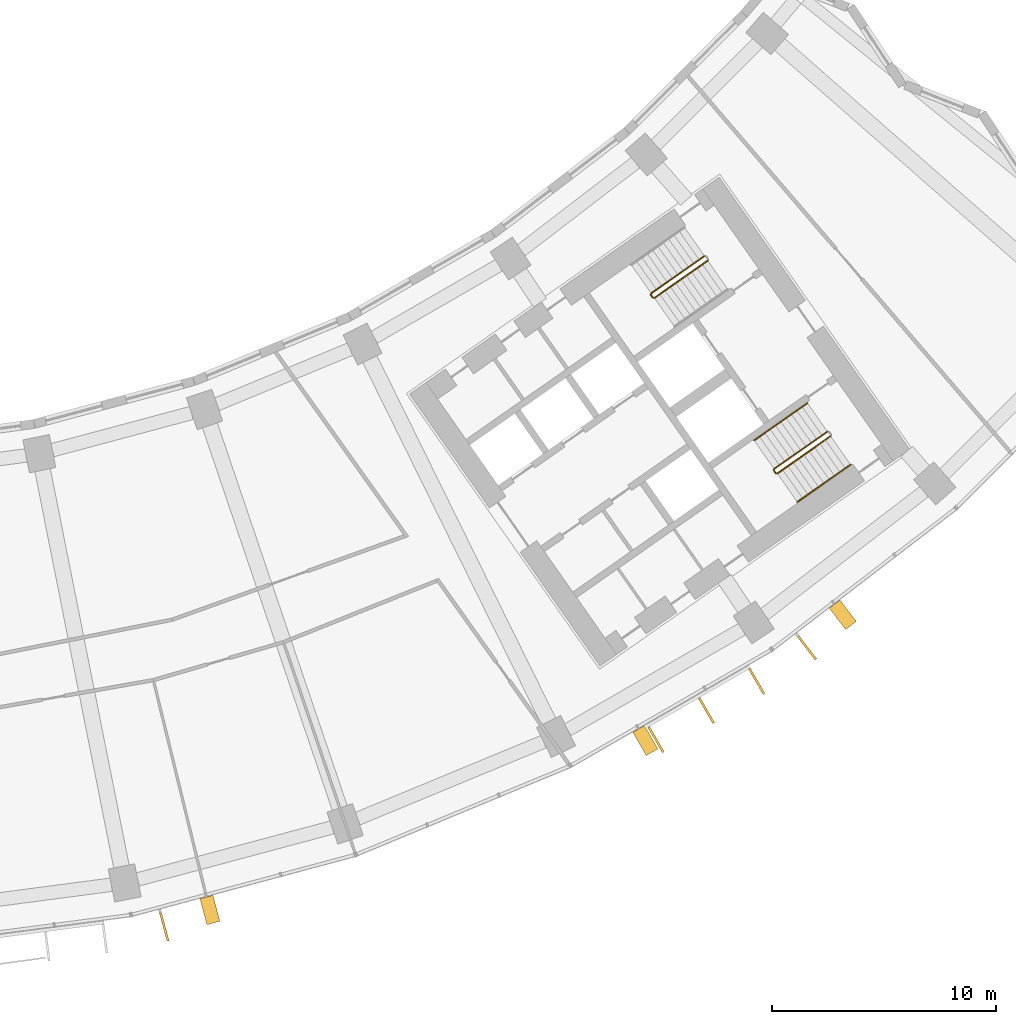
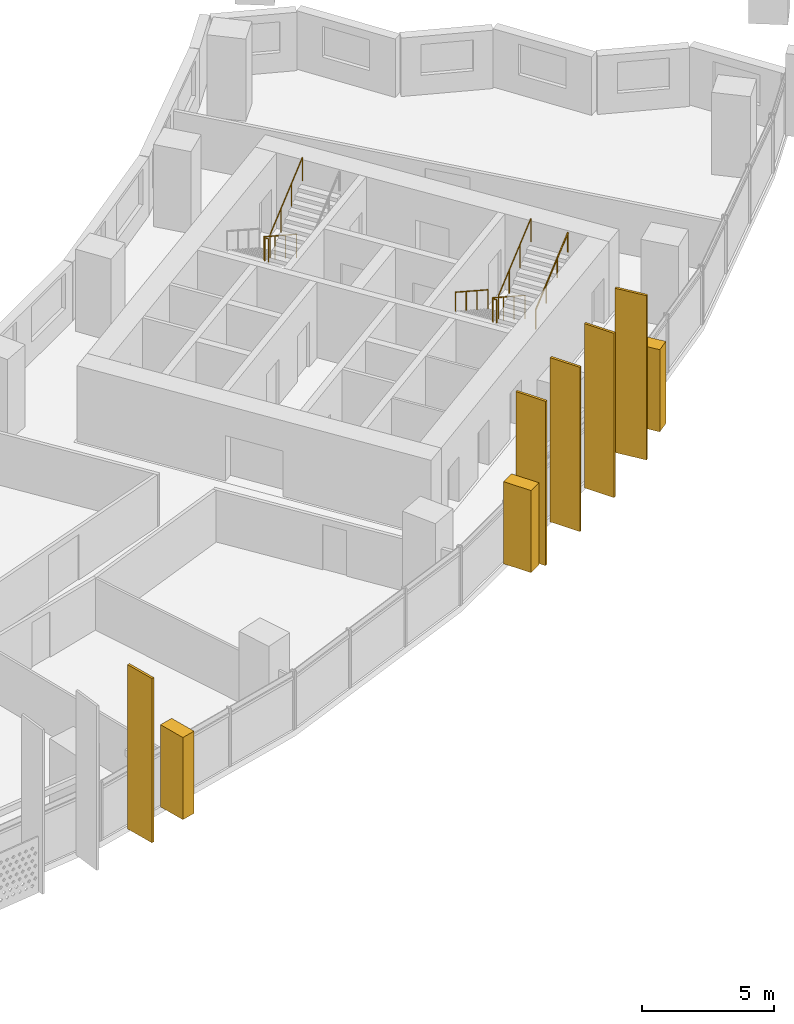
# One storey, part 29 of 30: 8 shading devices, 6 railings.
"""IFC4 building model written with IfcOpenShell, lengths in metres."""

import ifcopenshell
import ifcopenshell.guid

model = None  # the IFC model being written
_history = None  # IfcOwnerHistory: only IFC2X3 demands one
_inside = {}  # id of a spatial element -> (the spatial element, [elements in it])
_under = {}  # id of a project, library or spatial element -> (it, [spatial elements below it])
_declared = {}  # id of a project -> (the project, [libraries it declares])
_typed = {}  # id of a type object -> (the type object, [elements of that type])
_made_of = {}  # id of a material, layer set ... -> (it, [elements and type objects made of it])


def new_model(schema):
    """Start an empty IFC model of exactly this schema.

    Asked for "IFC4X3", IfcOpenShell would pick the latest addendum, in which some entities
    have other attributes; the version numbers below select the first issue.
    IFC2X3 requires an IfcOwnerHistory on every rooted entity: one is made here for all.
    """
    global model, _history
    if schema == "IFC4X3":
        model = ifcopenshell.file(schema_version=(4, 3, 0, 0))
    else:
        model = ifcopenshell.file(schema=schema)
    _inside.clear()
    _under.clear()
    _declared.clear()
    _typed.clear()
    _made_of.clear()
    _history = None
    if model.schema == "IFC2X3":
        org = make("IfcOrganization", Name="unknown")
        user = make(
            "IfcPersonAndOrganization",
            ThePerson=make("IfcPerson", FamilyName="unknown"),
            TheOrganization=org,
        )
        app = make(
            "IfcApplication",
            ApplicationDeveloper=org,
            Version="unknown",
            ApplicationFullName="unknown",
            ApplicationIdentifier="unknown",
        )
        _history = make(
            "IfcOwnerHistory",
            OwningUser=user,
            OwningApplication=app,
            ChangeAction="ADDED",
            CreationDate=0,
        )
    return model


def make(cls, **values):
    """One entity of the class cls with the attributes given. An attribute that is None is left unset."""
    return model.create_entity(
        cls, **{name: value for name, value in values.items() if value is not None}
    )


def rooted(cls, **values):
    """An entity with a GlobalId (a new one), such as an element, a storey or a relation."""
    return make(cls, GlobalId=ifcopenshell.guid.new(), OwnerHistory=_history, **values)


def si_unit(unit_type, name, prefix=None):
    """IfcSIUnit, for example si_unit("LENGTHUNIT", "METRE", prefix="MILLI")."""
    return make("IfcSIUnit", UnitType=unit_type, Prefix=prefix, Name=name)


def assignment(units):
    """IfcUnitAssignment: the units of a project."""
    return None if units is None else make("IfcUnitAssignment", Units=units)


def point(xyz):
    """IfcCartesianPoint."""
    return None if xyz is None else make("IfcCartesianPoint", Coordinates=xyz)


def direction(xyz):
    """IfcDirection."""
    return None if xyz is None else make("IfcDirection", DirectionRatios=xyz)


def frame(location, z_axis=None, x_axis=None):
    """IfcAxis2Placement3D, a coordinate frame: its origin and axes. An axis left out is left unset."""
    return make(
        "IfcAxis2Placement3D",
        Location=point(location),
        Axis=direction(z_axis),
        RefDirection=direction(x_axis),
    )


def frame_2d(location, x_axis=None):
    """IfcAxis2Placement2D, a coordinate frame in the plane: its origin and x axis."""
    return make(
        "IfcAxis2Placement2D", Location=point(location), RefDirection=direction(x_axis)
    )


def origin():
    """The frame at (0, 0, 0) with its axes left unset."""
    return frame((0.0, 0.0, 0.0))


def origin_2d():
    """The frame at (0, 0) in the plane with its x axis left unset."""
    return frame_2d((0.0, 0.0))


def place(relative_to, where):
    """IfcLocalPlacement: puts the frame where relative to a parent placement (None: the world)."""
    return make(
        "IfcLocalPlacement", PlacementRelTo=relative_to, RelativePlacement=where
    )


def context(
    kind, dimensions, precision=None, world=None, true_north=None, identifier=None
):
    """IfcGeometricRepresentationContext, for example the 3D "Model" context."""
    return make(
        "IfcGeometricRepresentationContext",
        ContextIdentifier=identifier,
        ContextType=kind,
        CoordinateSpaceDimension=dimensions,
        Precision=precision,
        WorldCoordinateSystem=world,
        TrueNorth=true_north,
    )


def subcontext(parent, identifier, kind, view, scale=None):
    """IfcGeometricRepresentationSubContext, for example "Body" below "Model"."""
    return make(
        "IfcGeometricRepresentationSubContext",
        ContextIdentifier=identifier,
        ContextType=kind,
        ParentContext=parent,
        TargetScale=scale,
        TargetView=view,
    )


def project(units=None, contexts=None):
    """IfcProject with its units and contexts."""
    return rooted(
        "IfcProject",
        Name="project",
        RepresentationContexts=contexts,
        UnitsInContext=assignment(units),
    )


def spatial(cls, under=None, at=None, **own):
    """A site, building, storey or space (cls), placed at a placement, below another one or the project."""
    s = rooted(cls, ObjectPlacement=at, **own)
    if under is not None:
        _under.setdefault(under.id(), (under, []))[1].append(s)
    return s


def polyline(points):
    """IfcPolyline through the points."""
    return make("IfcPolyline", Points=[point(p) for p in points])


def profile(cls, at=None, kind="AREA", **sizes):
    """A parametric profile (cls). Its sizes go by their IFC names, for example OverallWidth=200.0."""
    return make(cls, ProfileType=kind, Position=at, **sizes)


def rectangle(**sizes):
    """IfcRectangleProfileDef."""
    return profile("IfcRectangleProfileDef", **sizes)


def circle(**sizes):
    """IfcCircleProfileDef."""
    return profile("IfcCircleProfileDef", **sizes)


def outline(outer, holes=None, kind="AREA"):
    """IfcArbitraryClosedProfileDef: a profile drawn as a closed curve; with holes, ...WithVoids."""
    if holes is None:
        return make("IfcArbitraryClosedProfileDef", ProfileType=kind, OuterCurve=outer)
    return make(
        "IfcArbitraryProfileDefWithVoids",
        ProfileType=kind,
        OuterCurve=outer,
        InnerCurves=holes,
    )


def extrude(swept, where, along, depth):
    """IfcExtrudedAreaSolid: the profile swept, set in the frame where, extruded along a direction by depth."""
    return make(
        "IfcExtrudedAreaSolid",
        SweptArea=swept,
        Position=where,
        ExtrudedDirection=direction(along),
        Depth=depth,
    )


def shape(context_of_items, identifier, shape_type, items):
    """IfcShapeRepresentation: the items that make up one representation, for example the "Body"."""
    return make(
        "IfcShapeRepresentation",
        ContextOfItems=context_of_items,
        RepresentationIdentifier=identifier,
        RepresentationType=shape_type,
        Items=items,
    )


def material(Name=None, Category=None):
    """IfcMaterial."""
    return make("IfcMaterial", Name=Name, Category=Category)


def material_profile(
    of_material, cross_section, Name=None, Category=None, Priority=None
):
    """IfcMaterialProfile: a cross section and its material."""
    return make(
        "IfcMaterialProfile",
        Name=Name,
        Material=of_material,
        Profile=cross_section,
        Priority=Priority,
        Category=Category,
    )


def profile_set(profiles, Name=None, composite=None):
    """IfcMaterialProfileSet."""
    return make(
        "IfcMaterialProfileSet",
        Name=Name,
        MaterialProfiles=profiles,
        CompositeProfile=composite,
    )


def made_of(thing, what):
    """Note that an element or type object is made of a material, layer set ...; save() writes the relation."""
    if what is not None:
        _made_of.setdefault(what.id(), (what, []))[1].append(thing)
    return thing


def type_object(cls, material=None, **own):
    """A type object (cls), such as IfcWallType, which elements share."""
    return made_of(rooted(cls, **own), material)


def element(
    cls,
    number,
    at=None,
    inside=None,
    cuts=None,
    type_object=None,
    material=None,
    context=None,
    identifier="Body",
    shape_type=None,
    held_by="IfcProductDefinitionShape",
    body=None,
    shapes=None,
    **own,
):
    """One element of the class cls, such as IfcWall. Its Tag is "e" and its number.

    at: its placement. inside: the storey or other place that contains it. cuts: it is an
    opening in that element (IfcRelVoidsElement). A single representation is given by context,
    identifier, shape_type and body (its items); several are given by shapes. held_by: the class
    of the entity that holds the representations. save() writes the other relations.
    """
    e = rooted(cls, Tag="e%d" % number, ObjectPlacement=at, **own)
    if body is not None:
        shapes = [shape(context, identifier, shape_type, body)]
    if shapes is not None:
        e.Representation = make(held_by, Representations=shapes)
    if inside is not None:
        _inside.setdefault(inside.id(), (inside, []))[1].append(e)
    if cuts is not None:
        rooted(
            "IfcRelVoidsElement", RelatingBuildingElement=cuts, RelatedOpeningElement=e
        )
    if type_object is not None:
        _typed.setdefault(type_object.id(), (type_object, []))[1].append(e)
    return made_of(e, material)


def aggregate(whole, parts):
    """IfcRelAggregates: a whole, such as a stair, and the parts it consists of."""
    return rooted("IfcRelAggregates", RelatingObject=whole, RelatedObjects=parts)


def save(model, path):
    """Write the relations noted so far, then the file.

    IfcRelAggregates (storeys below a building ...), IfcRelContainedInSpatialStructure (elements
    in a storey), IfcRelDefinesByType, IfcRelAssociatesMaterial and IfcRelDeclares: one each for
    every whole, place, type object, material and project.
    """
    for whole, parts in _under.values():
        aggregate(whole, parts)
    for where, things in _inside.values():
        rooted(
            "IfcRelContainedInSpatialStructure",
            RelatedElements=things,
            RelatingStructure=where,
        )
    for kind, things in _typed.values():
        rooted("IfcRelDefinesByType", RelatedObjects=things, RelatingType=kind)
    for what, things in _made_of.values():
        rooted("IfcRelAssociatesMaterial", RelatedObjects=things, RelatingMaterial=what)
    for by, libraries in _declared.values():
        rooted("IfcRelDeclares", RelatingContext=by, RelatedDefinitions=libraries)
    model.write(path)


model = new_model("IFC4")

# Units and contexts
model_context = context("Model", 3, precision=1e-05, world=origin(), true_north=direction((0.0, 1.0)))
body_context = subcontext(model_context, "Body", "Model", "MODEL_VIEW")
ifc_project = project(units=[si_unit("LENGTHUNIT", "METRE"), si_unit("AREAUNIT", "SQUARE_METRE"), si_unit("VOLUMEUNIT", "CUBIC_METRE"), si_unit("PLANEANGLEUNIT", "RADIAN"), si_unit("MASSUNIT", "GRAM", prefix="KILO")], contexts=[model_context])

# Site, building, storey
site_placement = place(None, origin())
site = spatial("IfcSite", under=ifc_project, at=site_placement, CompositionType="ELEMENT")
building_placement = place(site_placement, origin())
building = spatial("IfcBuilding", under=site, at=building_placement, Name="Qamariyya Broadcast Tower", CompositionType="ELEMENT")
storey_placement = place(building_placement, frame((0.0, 0.0, 125.300048828125)))
storey = spatial("IfcBuildingStorey", under=building, at=storey_placement, Name="L28", CompositionType="ELEMENT", Elevation=125.300048828125)

# Shading devices
ifc_material_1 = material(Name="Steel S355 powder coated deep red", Category="steel")
shading_device_type_1 = type_object("IfcShadingDeviceType", Name="Deep red frame, powder coated steel box section", PredefinedType="USERDEFINED", material=ifc_material_1)
shading_device_1_placement = place(storey_placement, origin())
element("IfcShadingDevice", 1, at=shading_device_1_placement, inside=storey, type_object=shading_device_type_1, Name="e-frm-B2-F2-posta-L28", ObjectType="FRAME", PredefinedType="USERDEFINED", context=body_context, shape_type="SweptSolid", body=[
    extrude(outline(polyline([(18.520751953125, -76.958984375), (18.831298828125, -78.1181640625), (19.410888671875, -77.962890625), (19.100341796875, -76.8037109375), (18.520751953125, -76.958984375)])), origin(), (0.0, 0.0, 1.0), 3.800048828125),
])
shading_device_2_placement = place(storey_placement, origin())
element("IfcShadingDevice", 2, at=shading_device_2_placement, inside=storey, type_object=shading_device_type_1, Name="e-frm-B2-F2-postb-L28", ObjectType="FRAME", PredefinedType="USERDEFINED", context=body_context, shape_type="SweptSolid", body=[
    extrude(outline(polyline([(37.80810546875, -69.543212890625), (38.408203125, -70.58251953125), (38.927734375, -70.282470703125), (38.32763671875, -69.2431640625), (37.80810546875, -69.543212890625)])), origin(), (0.0, 0.0, 1.0), 3.800048828125),
])
shading_device_3_placement = place(storey_placement, origin())
element("IfcShadingDevice", 3, at=shading_device_3_placement, inside=storey, type_object=shading_device_type_1, Name="e-frm-B2-F4-posta-L28", ObjectType="FRAME", PredefinedType="USERDEFINED", context=body_context, shape_type="SweptSolid", body=[
    extrude(outline(polyline([(46.561767578125, -64.01318359375), (47.29248046875, -64.96533203125), (47.768310546875, -64.60009765625), (47.037841796875, -63.64794921875), (46.561767578125, -64.01318359375)])), origin(), (0.0, 0.0, 1.0), 3.800048828125),
])

# Railings
ifc_material_2 = material(Name="Painted steel", Category="steel")
railing_type_1 = type_object("IfcRailingType", Name="Stair guard", PredefinedType="GUARDRAIL", material=ifc_material_2)
railing_1_placement = place(storey_placement, frame((41.003173828125, -48.320068359375, 0.172607421875)))
element("IfcRailing", 4, at=railing_1_placement, inside=storey, type_object=railing_type_1, Name="L28 ST-E2 stair guard 1", PredefinedType="GUARDRAIL", context=body_context, shape_type="SweptSolid", body=[
    extrude(circle(Radius=0.02392578125, at=origin_2d()), frame((0.0, 0.0, 1.076171875), z_axis=(-0.703770094002, -0.492783725636, 0.511734163933), x_axis=(0.573575343427, -0.819152809562, 0.0)), (0.0, 0.0, 1.0), 3.37548828125),
    extrude(circle(Radius=0.02392578125, at=origin_2d()), frame((-2.37548828125, -1.663330078125, 2.80322265625), z_axis=(-0.172799478008, -0.984957024646, 0.0), x_axis=(0.984957024646, -0.172799478008, 0.0)), (0.0, 0.0, 1.0), 0.070556640625),
    extrude(circle(Radius=0.02392578125, at=origin_2d()), frame((-2.3876953125, -1.73291015625, 2.80322265625), z_axis=(0.572588637393, -0.819842821722, 0.0), x_axis=(0.819842821722, 0.572588637393, 0.0)), (0.0, 0.0, 1.0), 0.150146484375),
    extrude(circle(Radius=0.02099609375, at=origin_2d()), origin(), (0.0, 0.0, 1.0), 1.052001953125),
    extrude(circle(Radius=0.02099609375, at=origin_2d()), frame((-0.791748046875, -0.554443359375, 0.57568359375)), (0.0, 0.0, 1.0), 1.052001953125),
    extrude(circle(Radius=0.02099609375, at=origin_2d()), frame((-1.583740234375, -1.10888671875, 1.151611328125)), (0.0, 0.0, 1.0), 1.052001953125),
    extrude(circle(Radius=0.02099609375, at=origin_2d()), frame((-2.37548828125, -1.663330078125, 1.727294921875)), (0.0, 0.0, 1.0), 1.052001953125),
    extrude(circle(Radius=0.02099609375, at=origin_2d()), frame((-2.3876953125, -1.73291015625, 1.727294921875)), (0.0, 0.0, 1.0), 1.052001953125),
    extrude(circle(Radius=0.02099609375, at=origin_2d()), frame((-2.3017578125, -1.85595703125, 1.727294921875)), (0.0, 0.0, 1.0), 1.052001953125),
])
railing_2_placement = place(storey_placement, frame((38.771240234375, -50.188232421875, 2.07275390625)))
element("IfcRailing", 5, at=railing_2_placement, inside=storey, type_object=railing_type_1, Name="L28 ST-E2 stair guard 2", PredefinedType="GUARDRAIL", context=body_context, shape_type="SweptSolid", body=[
    extrude(circle(Radius=0.02392578125, at=origin_2d()), frame((0.0, 0.0, 1.076171875), z_axis=(0.703770094002, 0.492783725636, 0.511734163933), x_axis=(-0.573575343427, 0.819152809562, 0.0)), (0.0, 0.0, 1.0), 3.37548828125),
    extrude(circle(Radius=0.02099609375, at=origin_2d()), origin(), (0.0, 0.0, 1.0), 1.052001953125),
    extrude(circle(Radius=0.02099609375, at=origin_2d()), frame((0.791748046875, 0.554443359375, 0.57568359375)), (0.0, 0.0, 1.0), 1.052001953125),
    extrude(circle(Radius=0.02099609375, at=origin_2d()), frame((1.583740234375, 1.10888671875, 1.151611328125)), (0.0, 0.0, 1.0), 1.052001953125),
    extrude(circle(Radius=0.02099609375, at=origin_2d()), frame((2.37548828125, 1.663330078125, 1.727294921875)), (0.0, 0.0, 1.0), 1.052001953125),
])
railing_3_placement = place(storey_placement, frame((46.48095703125, -56.14306640625, 0.172607421875)))
element("IfcRailing", 6, at=railing_3_placement, inside=storey, type_object=railing_type_1, Name="L28 ST-E1 stair guard 1", PredefinedType="GUARDRAIL", context=body_context, shape_type="SweptSolid", body=[
    extrude(circle(Radius=0.02392578125, at=origin_2d()), frame((0.0, 0.0, 1.076171875), z_axis=(-0.703770094002, -0.492783725636, 0.511734163933), x_axis=(0.573575343427, -0.819152809562, 0.0)), (0.0, 0.0, 1.0), 3.37548828125),
    extrude(circle(Radius=0.02392578125, at=origin_2d()), frame((-2.37548828125, -1.663330078125, 2.80322265625), z_axis=(-0.176149252506, -0.984363469884, 0.0), x_axis=(0.984363469884, -0.176149252506, 0.0)), (0.0, 0.0, 1.0), 0.07080078125),
    extrude(circle(Radius=0.02392578125, at=origin_2d()), frame((-2.387939453125, -1.73291015625, 2.80322265625), z_axis=(0.574444878118, -0.818543268254, 0.0), x_axis=(0.818543268254, 0.574444878118, 0.0)), (0.0, 0.0, 1.0), 0.150146484375),
    extrude(circle(Radius=0.02099609375, at=origin_2d()), origin(), (0.0, 0.0, 1.0), 1.052001953125),
    extrude(circle(Radius=0.02099609375, at=origin_2d()), frame((-0.791748046875, -0.554443359375, 0.57568359375)), (0.0, 0.0, 1.0), 1.052001953125),
    extrude(circle(Radius=0.02099609375, at=origin_2d()), frame((-1.583740234375, -1.10888671875, 1.151611328125)), (0.0, 0.0, 1.0), 1.052001953125),
    extrude(circle(Radius=0.02099609375, at=origin_2d()), frame((-2.37548828125, -1.663330078125, 1.727294921875)), (0.0, 0.0, 1.0), 1.052001953125),
    extrude(circle(Radius=0.02099609375, at=origin_2d()), frame((-2.387939453125, -1.73291015625, 1.727294921875)), (0.0, 0.0, 1.0), 1.052001953125),
    extrude(circle(Radius=0.02099609375, at=origin_2d()), frame((-2.3017578125, -1.855712890625, 1.727294921875)), (0.0, 0.0, 1.0), 1.052001953125),
])
railing_4_placement = place(storey_placement, frame((44.248779296875, -58.01123046875, 2.07275390625)))
element("IfcRailing", 7, at=railing_4_placement, inside=storey, type_object=railing_type_1, Name="L28 ST-E1 stair guard 2", PredefinedType="GUARDRAIL", context=body_context, shape_type="SweptSolid", body=[
    extrude(circle(Radius=0.02392578125, at=origin_2d()), frame((0.0, 0.0, 1.076171875), z_axis=(0.703745009021, 0.492838488332, 0.511715923826), x_axis=(-0.573631830683, 0.819113253969, 0.0)), (0.0, 0.0, 1.0), 3.37548828125),
    extrude(circle(Radius=0.02099609375, at=origin_2d()), origin(), (0.0, 0.0, 1.0), 1.052001953125),
    extrude(circle(Radius=0.02099609375, at=origin_2d()), frame((0.791748046875, 0.554443359375, 0.57568359375)), (0.0, 0.0, 1.0), 1.052001953125),
    extrude(circle(Radius=0.02099609375, at=origin_2d()), frame((1.583740234375, 1.109130859375, 1.151611328125)), (0.0, 0.0, 1.0), 1.052001953125),
    extrude(circle(Radius=0.02099609375, at=origin_2d()), frame((2.37548828125, 1.66357421875, 1.727294921875)), (0.0, 0.0, 1.0), 1.052001953125),
])
ifc_material_3 = material(Name="Stainless steel", Category="steel")
railing_type_2 = type_object("IfcRailingType", Name="Stair handrail", PredefinedType="HANDRAIL", material=ifc_material_3)
railing_5_placement = place(storey_placement, frame((45.591796875, -54.873291015625, 0.172607421875)))
element("IfcRailing", 8, at=railing_5_placement, inside=storey, type_object=railing_type_2, Name="L28 ST-E1 stair handrail 1", PredefinedType="HANDRAIL", context=body_context, shape_type="SweptSolid", body=[
    extrude(circle(Radius=0.02392578125, at=origin_2d()), frame((0.0, 0.0, 0.8759765625), z_axis=(-0.703770094002, -0.492783725636, 0.511734163933), x_axis=(0.573575343427, -0.819152809562, 0.0)), (0.0, 0.0, 1.0), 3.37548828125),
    extrude(circle(Radius=0.02099609375, at=origin_2d()), origin(), (0.0, 0.0, 1.0), 0.851806640625),
    extrude(circle(Radius=0.02099609375, at=origin_2d()), frame((-0.791748046875, -0.554443359375, 0.57568359375)), (0.0, 0.0, 1.0), 0.851806640625),
    extrude(circle(Radius=0.02099609375, at=origin_2d()), frame((-1.583740234375, -1.10888671875, 1.151611328125)), (0.0, 0.0, 1.0), 0.851806640625),
    extrude(circle(Radius=0.02099609375, at=origin_2d()), frame((-2.37548828125, -1.663330078125, 1.727294921875)), (0.0, 0.0, 1.0), 0.851806640625),
])
railing_6_placement = place(storey_placement, frame((45.137939453125, -59.28076171875, 2.07275390625)))
element("IfcRailing", 9, at=railing_6_placement, inside=storey, type_object=railing_type_2, Name="L28 ST-E1 stair handrail 2", PredefinedType="HANDRAIL", context=body_context, shape_type="SweptSolid", body=[
    extrude(circle(Radius=0.02392578125, at=origin_2d()), frame((0.0, 0.0, 0.8759765625), z_axis=(0.703770094002, 0.492783725636, 0.511734163933), x_axis=(-0.573575343427, 0.819152809562, 0.0)), (0.0, 0.0, 1.0), 3.37548828125),
    extrude(circle(Radius=0.02099609375, at=origin_2d()), origin(), (0.0, 0.0, 1.0), 0.851806640625),
    extrude(circle(Radius=0.02099609375, at=origin_2d()), frame((0.791748046875, 0.554443359375, 0.57568359375)), (0.0, 0.0, 1.0), 0.851806640625),
    extrude(circle(Radius=0.02099609375, at=origin_2d()), frame((1.583740234375, 1.10888671875, 1.151611328125)), (0.0, 0.0, 1.0), 0.851806640625),
    extrude(circle(Radius=0.02099609375, at=origin_2d()), frame((2.37548828125, 1.663330078125, 1.727294921875)), (0.0, 0.0, 1.0), 0.851806640625),
])

# Shading devices
ifc_material_4 = material(Name="Glazed terracotta", Category="masonry")
ifc_material_profile = material_profile(ifc_material_4, rectangle(XDim=1.300048828125, YDim=0.10009765625, at=origin_2d()))
ifc_profile_set = profile_set([ifc_material_profile], Name="Glazed terracotta")
shading_device_type_2 = type_object("IfcShadingDeviceType", Name="Terracotta fin 100 x 1300", PredefinedType="USERDEFINED", material=ifc_profile_set)
for number, where, z_axis, x_axis, name in (
    (10, (16.93017578125, -78.21337890625, 0.0), (0.0, 0.0, 1.0), (0.258819045103, -0.965925826289, 0.0), "e-fin-L28-11-0"),
    (11, (38.84228515625, -69.869873046875, 0.0), (0.0, 0.0, 1.0), (0.5, -0.866025403784, 0.0), "e-fin-L28-13-1"),
    (12, (41.087890625, -68.5732421875, 0.0), (0.0, 0.0, 1.0), (0.5, -0.866025403784, 0.0), "e-fin-L28-13-2"),
    (13, (43.333740234375, -67.276611328125, 0.0), (0.0, 0.0, 1.0), (0.5, -0.866025403784, 0.0), "e-fin-L28-13-3"),
    (14, (45.572509765625, -65.781005859375, 0.0), (0.0, 0.0, 1.0), (0.608761429009, -0.793353340291, 0.0), "e-fin-L28-14-0"),
):
    element("IfcShadingDevice", number, at=place(storey_placement, frame(where, z_axis=z_axis, x_axis=x_axis)), inside=storey, type_object=shading_device_type_2, Name=name, ObjectType="FIN", PredefinedType="USERDEFINED", context=body_context, shape_type="SweptSolid", body=[
        extrude(rectangle(XDim=1.300048828125, YDim=0.10009765625, at=origin_2d()), origin(), (0.0, 0.0, 1.0), 7.599853515625),
    ])

save(model, "model.ifc")
